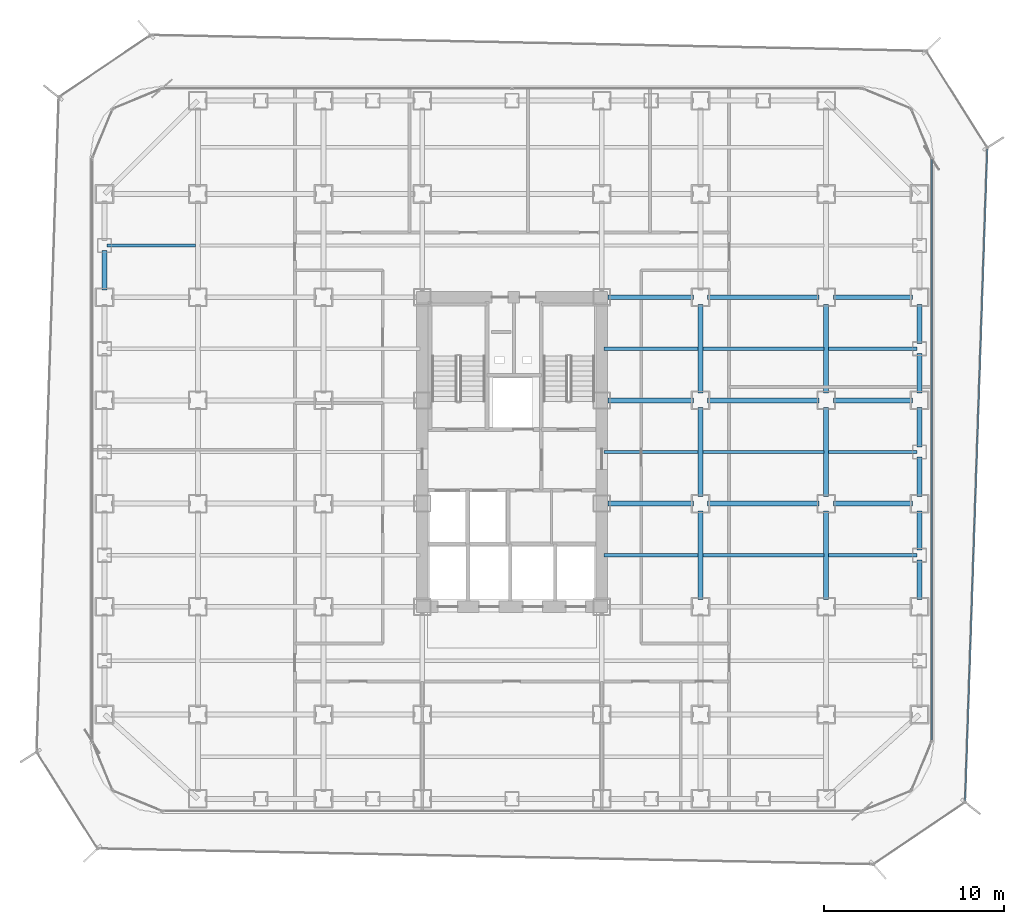
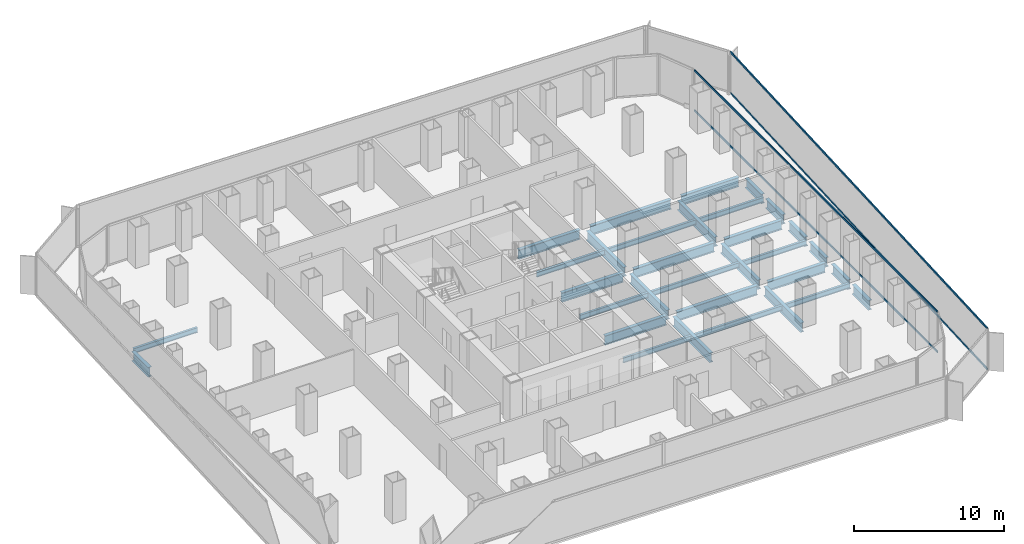
# One storey, part 9 of 21: 32 beams, 4 members, 2 elements without a shape of their own.
"""IFC4 building model written with IfcOpenShell, lengths in metres."""

from ifc_helpers import new_model, si_unit, direction, frame, origin, origin_2d, place, context, subcontext, project, spatial, hollow_rectangle, i_section, extrude, source, transform, mapped, material, layer, layer_set, material_profile, profile_set, type_object, element, aggregate, save


model = new_model("IFC4")

# Units and contexts
model_context = context("Model", 3, precision=1e-05, world=origin(), true_north=direction((0.0, 1.0)))
body_context = subcontext(model_context, "Body", "Model", "MODEL_VIEW")
ifc_project = project(units=[si_unit("LENGTHUNIT", "METRE"), si_unit("AREAUNIT", "SQUARE_METRE"), si_unit("VOLUMEUNIT", "CUBIC_METRE"), si_unit("PLANEANGLEUNIT", "RADIAN"), si_unit("MASSUNIT", "GRAM", prefix="KILO")], contexts=[model_context])

# Site, building, storey
site_placement = place(None, origin())
site = spatial("IfcSite", under=ifc_project, at=site_placement, CompositionType="ELEMENT")
building_placement = place(site_placement, origin())
building = spatial("IfcBuilding", under=site, at=building_placement, Name="Kolveth Station Tower", CompositionType="ELEMENT")
storey_placement = place(building_placement, frame((0.0, 0.0, 29.699951171875)))
storey = spatial("IfcBuildingStorey", under=building, at=storey_placement, Name="L07", CompositionType="ELEMENT", Elevation=29.699951171875)

# Beams
ifc_material_1 = material(Name="Steel S355", Category="steel")
ifc_material_profile_1 = material_profile(ifc_material_1, i_section(OverallWidth=0.26904296875, OverallDepth=0.77490234375, WebThickness=0.01708984375, FlangeThickness=0.0283203125, at=origin_2d()), Name="W760x220")
ifc_profile_set_1 = profile_set([ifc_material_profile_1], Name="Steel S355")
beam_type_1 = type_object("IfcBeamType", Name="Beam_SP1", PredefinedType="SPANDREL", material=ifc_profile_set_1)
shared_shape_1 = source(origin(), body_context, "Body", "SweptSolid", [
    extrude(i_section(OverallWidth=0.26904296875, OverallDepth=0.77490234375, WebThickness=0.01708984375, FlangeThickness=0.0283203125, at=origin_2d()), origin(), (0.0, 0.0, 1.0), 2.2001953125),
])
for number, where, z_axis, x_axis, name in (
    (1, (46.199951171875, 11.89990234375, -0.66748046875), (0.0, 1.0, 0.0), (-1.0, 0.0, 0.0), "L07 Perimeter Spandrel BM-L07-PE-3"),
    (2, (46.199951171875, 20.39990234375, -0.66748046875), (0.0, 1.0, 0.0), (-1.0, 0.0, 0.0), "L07 Perimeter Spandrel BM-L07-PE-6"),
    (3, (46.199951171875, 23.39990234375, -0.66748046875), (0.0, 1.0, 0.0), (-1.0, 0.0, 0.0), "L07 Perimeter Spandrel BM-L07-PE-7"),
):
    element("IfcBeam", number, at=place(storey_placement, frame(where, z_axis=z_axis, x_axis=x_axis)), inside=storey, type_object=beam_type_1, Name=name, PredefinedType="SPANDREL", context=body_context, shape_type="MappedRepresentation", body=[
        mapped(shared_shape_1, transform((0.0, 0.0, 0.0), x_axis=(1.0, 0.0, 0.0), y_axis=(0.0, 1.0, 0.0), z_axis=(0.0, 0.0, 1.0), scale=1.0)),
    ])
shared_shape_2 = source(origin(), body_context, "Body", "SweptSolid", [
    extrude(i_section(OverallWidth=0.26904296875, OverallDepth=0.77490234375, WebThickness=0.01708984375, FlangeThickness=0.0283203125, at=origin_2d()), origin(), (0.0, 0.0, 1.0), 2.190185546875),
])
for number, where, z_axis, x_axis, name in (
    (4, (0.800048828125, 29.14990234375, -0.66748046875), (0.0, 1.0, 0.0), (-1.0, 0.0, 0.0), "L07 Perimeter Spandrel BM-L07-PW-9"),
    (5, (46.199951171875, 14.659912109375, -0.66748046875), (0.0, 1.0, 0.0), (-1.0, 0.0, 0.0), "L07 Perimeter Spandrel BM-L07-PE-4"),
    (6, (46.199951171875, 17.64990234375, -0.66748046875), (0.0, 1.0, 0.0), (-1.0, 0.0, 0.0), "L07 Perimeter Spandrel BM-L07-PE-5"),
    (7, (46.199951171875, 26.159912109375, -0.66748046875), (0.0, 1.0, 0.0), (-1.0, 0.0, 0.0), "L07 Perimeter Spandrel BM-L07-PE-8"),
):
    element("IfcBeam", number, at=place(storey_placement, frame(where, z_axis=z_axis, x_axis=x_axis)), inside=storey, type_object=beam_type_1, Name=name, PredefinedType="SPANDREL", context=body_context, shape_type="MappedRepresentation", body=[
        mapped(shared_shape_2, transform((0.0, 0.0, 0.0), x_axis=(1.0, 0.0, 0.0), y_axis=(0.0, 1.0, 0.0), z_axis=(0.0, 0.0, 1.0), scale=1.0)),
    ])
ifc_material_profile_2 = material_profile(ifc_material_1, i_section(OverallWidth=0.26708984375, OverallDepth=0.76611328125, WebThickness=0.014892578125, FlangeThickness=0.023681640625, at=origin_2d()), Name="W760x185")
ifc_profile_set_2 = profile_set([ifc_material_profile_2], Name="Steel S355")
beam_type_2 = type_object("IfcBeamType", Name="Beam_B3", PredefinedType="BEAM", material=ifc_profile_set_2)
shared_shape_3 = source(origin(), body_context, "Body", "SweptSolid", [
    extrude(i_section(OverallWidth=0.26708984375, OverallDepth=0.76611328125, WebThickness=0.014892578125, FlangeThickness=0.023681640625, at=origin_2d()), origin(), (0.0, 0.0, 1.0), 4.400146484375),
])
for number, where, z_axis, x_axis, name in (
    (8, (41.39990234375, 17.25, -0.662841796875), (1.0, 0.0, 0.0), (0.0, 1.0, 0.0), "L07 Primary Girder BM-L07-GY172-7"),
    (9, (41.39990234375, 23.0, -0.662841796875), (1.0, 0.0, 0.0), (0.0, 1.0, 0.0), "L07 Primary Girder BM-L07-GY230-7"),
    (10, (41.39990234375, 28.75, -0.662841796875), (1.0, 0.0, 0.0), (0.0, 1.0, 0.0), "L07 Primary Girder BM-L07-GY287-7"),
):
    element("IfcBeam", number, at=place(storey_placement, frame(where, z_axis=z_axis, x_axis=x_axis)), inside=storey, type_object=beam_type_2, Name=name, PredefinedType="BEAM", context=body_context, shape_type="MappedRepresentation", body=[
        mapped(shared_shape_3, transform((0.0, 0.0, 0.0), x_axis=(1.0, 0.0, 0.0), y_axis=(0.0, 1.0, 0.0), z_axis=(0.0, 0.0, 1.0), scale=1.0)),
    ])
shared_shape_4 = source(origin(), body_context, "Body", "SweptSolid", [
    extrude(i_section(OverallWidth=0.26708984375, OverallDepth=0.76611328125, WebThickness=0.014892578125, FlangeThickness=0.023681640625, at=origin_2d()), origin(), (0.0, 0.0, 1.0), 6.2001953125),
])
for number, where, z_axis, x_axis, name in (
    (11, (34.39990234375, 17.25, -0.662841796875), (1.0, 0.0, 0.0), (0.0, 1.0, 0.0), "L07 Primary Girder BM-L07-GY172-6"),
    (12, (34.39990234375, 23.0, -0.662841796875), (1.0, 0.0, 0.0), (0.0, 1.0, 0.0), "L07 Primary Girder BM-L07-GY230-6"),
    (13, (34.39990234375, 28.75, -0.662841796875), (1.0, 0.0, 0.0), (0.0, 1.0, 0.0), "L07 Primary Girder BM-L07-GY287-6"),
):
    element("IfcBeam", number, at=place(storey_placement, frame(where, z_axis=z_axis, x_axis=x_axis)), inside=storey, type_object=beam_type_2, Name=name, PredefinedType="BEAM", context=body_context, shape_type="MappedRepresentation", body=[
        mapped(shared_shape_4, transform((0.0, 0.0, 0.0), x_axis=(1.0, 0.0, 0.0), y_axis=(0.0, 1.0, 0.0), z_axis=(0.0, 0.0, 1.0), scale=1.0)),
    ])
shared_shape_5 = source(origin(), body_context, "Body", "SweptSolid", [
    extrude(i_section(OverallWidth=0.26708984375, OverallDepth=0.76611328125, WebThickness=0.014892578125, FlangeThickness=0.023681640625, at=origin_2d()), origin(), (0.0, 0.0, 1.0), 4.739990234375),
])
for number, where, z_axis, x_axis, name in (
    (14, (28.860107421875, 17.25, -0.662841796875), (1.0, 0.0, 0.0), (0.0, 1.0, 0.0), "L07 Primary Girder BM-L07-GY172-5"),
    (15, (28.860107421875, 23.0, -0.662841796875), (1.0, 0.0, 0.0), (0.0, 1.0, 0.0), "L07 Primary Girder BM-L07-GY230-5"),
    (16, (28.860107421875, 28.75, -0.662841796875), (1.0, 0.0, 0.0), (0.0, 1.0, 0.0), "L07 Primary Girder BM-L07-GY287-5"),
):
    element("IfcBeam", number, at=place(storey_placement, frame(where, z_axis=z_axis, x_axis=x_axis)), inside=storey, type_object=beam_type_2, Name=name, PredefinedType="BEAM", context=body_context, shape_type="MappedRepresentation", body=[
        mapped(shared_shape_5, transform((0.0, 0.0, 0.0), x_axis=(1.0, 0.0, 0.0), y_axis=(0.0, 1.0, 0.0), z_axis=(0.0, 0.0, 1.0), scale=1.0)),
    ])
shared_shape_6 = source(origin(), body_context, "Body", "SweptSolid", [
    extrude(i_section(OverallWidth=0.26708984375, OverallDepth=0.76611328125, WebThickness=0.014892578125, FlangeThickness=0.023681640625, at=origin_2d()), origin(), (0.0, 0.0, 1.0), 4.9501953125),
])
for number, where, z_axis, x_axis, name in (
    (17, (34.0, 11.89990234375, -0.662841796875), (0.0, 1.0, 0.0), (-1.0, 0.0, 0.0), "L07 Primary Girder BM-L07-GX340-3"),
    (18, (34.0, 17.64990234375, -0.662841796875), (0.0, 1.0, 0.0), (-1.0, 0.0, 0.0), "L07 Primary Girder BM-L07-GX340-4"),
    (19, (34.0, 23.39990234375, -0.662841796875), (0.0, 1.0, 0.0), (-1.0, 0.0, 0.0), "L07 Primary Girder BM-L07-GX340-5"),
    (20, (41.0, 11.89990234375, -0.662841796875), (0.0, 1.0, 0.0), (-1.0, 0.0, 0.0), "L07 Primary Girder BM-L07-GX410-3"),
    (21, (41.0, 17.64990234375, -0.662841796875), (0.0, 1.0, 0.0), (-1.0, 0.0, 0.0), "L07 Primary Girder BM-L07-GX410-4"),
    (22, (41.0, 23.39990234375, -0.662841796875), (0.0, 1.0, 0.0), (-1.0, 0.0, 0.0), "L07 Primary Girder BM-L07-GX410-5"),
):
    element("IfcBeam", number, at=place(storey_placement, frame(where, z_axis=z_axis, x_axis=x_axis)), inside=storey, type_object=beam_type_2, Name=name, PredefinedType="BEAM", context=body_context, shape_type="MappedRepresentation", body=[
        mapped(shared_shape_6, transform((0.0, 0.0, 0.0), x_axis=(1.0, 0.0, 0.0), y_axis=(0.0, 1.0, 0.0), z_axis=(0.0, 0.0, 1.0), scale=1.0)),
    ])
ifc_material_profile_3 = material_profile(ifc_material_1, i_section(OverallWidth=0.177978515625, OverallDepth=0.406982421875, WebThickness=0.0078125, FlangeThickness=0.0126953125, at=origin_2d()), Name="W410x60")
ifc_profile_set_3 = profile_set([ifc_material_profile_3], Name="Steel S355")
beam_type_3 = type_object("IfcBeamType", Name="Beam_J1", PredefinedType="JOIST", material=ifc_profile_set_3)
shared_shape_7 = source(origin(), body_context, "Body", "SweptSolid", [
    extrude(i_section(OverallWidth=0.177978515625, OverallDepth=0.406982421875, WebThickness=0.0078125, FlangeThickness=0.0126953125, at=origin_2d()), origin(), (0.0, 0.0, 1.0), 4.935791015625),
])
for number, where, z_axis, x_axis, name in (
    (23, (0.9326171875, 31.625, -0.4833984375), (1.0, 0.0, 0.0), (0.0, 1.0, 0.0), "L07 Secondary Joist JST-L07-1-6"),
    (24, (41.131591796875, 14.375, -0.4833984375), (1.0, 0.0, 0.0), (0.0, 1.0, 0.0), "L07 Secondary Joist JST-L07-7-3"),
    (25, (41.131591796875, 20.125, -0.4833984375), (1.0, 0.0, 0.0), (0.0, 1.0, 0.0), "L07 Secondary Joist JST-L07-7-4"),
    (26, (41.131591796875, 25.875, -0.4833984375), (1.0, 0.0, 0.0), (0.0, 1.0, 0.0), "L07 Secondary Joist JST-L07-7-5"),
):
    element("IfcBeam", number, at=place(storey_placement, frame(where, z_axis=z_axis, x_axis=x_axis)), inside=storey, type_object=beam_type_3, Name=name, PredefinedType="JOIST", context=body_context, shape_type="MappedRepresentation", body=[
        mapped(shared_shape_7, transform((0.0, 0.0, 0.0), x_axis=(1.0, 0.0, 0.0), y_axis=(0.0, 1.0, 0.0), z_axis=(0.0, 0.0, 1.0), scale=1.0)),
    ])
shared_shape_8 = source(origin(), body_context, "Body", "SweptSolid", [
    extrude(i_section(OverallWidth=0.177978515625, OverallDepth=0.406982421875, WebThickness=0.0078125, FlangeThickness=0.0126953125, at=origin_2d()), origin(), (0.0, 0.0, 1.0), 6.73681640625),
])
for number, where, z_axis, x_axis, name in (
    (27, (34.131591796875, 14.375, -0.4833984375), (1.0, 0.0, 0.0), (0.0, 1.0, 0.0), "L07 Secondary Joist JST-L07-6-3"),
    (28, (34.131591796875, 20.125, -0.4833984375), (1.0, 0.0, 0.0), (0.0, 1.0, 0.0), "L07 Secondary Joist JST-L07-6-4"),
    (29, (34.131591796875, 25.875, -0.4833984375), (1.0, 0.0, 0.0), (0.0, 1.0, 0.0), "L07 Secondary Joist JST-L07-6-5"),
):
    element("IfcBeam", number, at=place(storey_placement, frame(where, z_axis=z_axis, x_axis=x_axis)), inside=storey, type_object=beam_type_3, Name=name, PredefinedType="JOIST", context=body_context, shape_type="MappedRepresentation", body=[
        mapped(shared_shape_8, transform((0.0, 0.0, 0.0), x_axis=(1.0, 0.0, 0.0), y_axis=(0.0, 1.0, 0.0), z_axis=(0.0, 0.0, 1.0), scale=1.0)),
    ])
shared_shape_9 = source(origin(), body_context, "Body", "SweptSolid", [
    extrude(i_section(OverallWidth=0.177978515625, OverallDepth=0.406982421875, WebThickness=0.0078125, FlangeThickness=0.0126953125, at=origin_2d()), origin(), (0.0, 0.0, 1.0), 5.23681640625),
])
for number, where, z_axis, x_axis, name in (
    (30, (28.631591796875, 14.375, -0.4833984375), (1.0, 0.0, 0.0), (0.0, 1.0, 0.0), "L07 Secondary Joist JST-L07-5-3"),
    (31, (28.631591796875, 20.125, -0.4833984375), (1.0, 0.0, 0.0), (0.0, 1.0, 0.0), "L07 Secondary Joist JST-L07-5-4"),
    (32, (28.631591796875, 25.875, -0.4833984375), (1.0, 0.0, 0.0), (0.0, 1.0, 0.0), "L07 Secondary Joist JST-L07-5-5"),
):
    element("IfcBeam", number, at=place(storey_placement, frame(where, z_axis=z_axis, x_axis=x_axis)), inside=storey, type_object=beam_type_3, Name=name, PredefinedType="JOIST", context=body_context, shape_type="MappedRepresentation", body=[
        mapped(shared_shape_9, transform((0.0, 0.0, 0.0), x_axis=(1.0, 0.0, 0.0), y_axis=(0.0, 1.0, 0.0), z_axis=(0.0, 0.0, 1.0), scale=1.0)),
    ])

# Curtain wall, members
ifc_material_2 = material(Name="Aluminium 6063-T6 and low-E dark glass", Category="aluminium")
ifc_layer_1 = layer(ifc_material_2, 0.179931640625)
ifc_layer_set_1 = layer_set([ifc_layer_1], Name="Aluminium 6063-T6 and low-E dark glass")
curtain_wall_type_1 = type_object("IfcCurtainWallType", Name="CurtainWall_CW-Z1", PredefinedType="NOTDEFINED", material=ifc_layer_set_1)
curtain_wall_1_placement = place(storey_placement, origin())
curtain_wall_1 = element("IfcCurtainWall", 33, at=curtain_wall_1_placement, inside=storey, type_object=curtain_wall_type_1, Name="L07 Inner Thermal Curtain Wall 3", PredefinedType="NOTDEFINED")
ifc_material_3 = material(Name="Black anodized aluminium 6063-T6", Category="aluminium")
ifc_material_profile_4 = material_profile(ifc_material_3, hollow_rectangle(XDim=0.074951171875, YDim=0.159912109375, WallThickness=0.0048828125, at=origin_2d()), Name="ALU-75x160x5")
ifc_profile_set_4 = profile_set([ifc_material_profile_4], Name="Black anodized aluminium 6063-T6")
member_type_1 = type_object("IfcMemberType", Name="Transom_TR1", PredefinedType="USERDEFINED", material=ifc_profile_set_4)
shared_shape_10 = source(origin(), body_context, "Body", "SweptSolid", [
    extrude(hollow_rectangle(XDim=0.074951171875, YDim=0.159912109375, WallThickness=0.0048828125, at=origin_2d()), origin(), (0.0, 0.0, 1.0), 32.35009765625),
])
member_1_placement = place(storey_placement, frame((46.8798828125, 4.074951171875, 0.03759765625), z_axis=(0.0, 1.0, 0.0), x_axis=(-1.0, 0.0, 0.0)))
member_1 = element("IfcMember", 34, at=member_1_placement, type_object=member_type_1, Name="CW-Z1 transom 1.1", ObjectType="TRANSOM", PredefinedType="USERDEFINED", context=body_context, shape_type="MappedRepresentation", body=[
    mapped(shared_shape_10, transform((0.0, 0.0, 0.0), x_axis=(1.0, 0.0, 0.0), y_axis=(0.0, 1.0, 0.0), z_axis=(0.0, 0.0, 1.0), scale=1.0)),
])
member_2_placement = place(storey_placement, frame((46.8798828125, 4.074951171875, 3.282470703125), z_axis=(0.0, 1.0, 0.0), x_axis=(-1.0, 0.0, 0.0)))
member_2 = element("IfcMember", 35, at=member_2_placement, type_object=member_type_1, Name="CW-Z1 transom 1.2", ObjectType="TRANSOM", PredefinedType="USERDEFINED", context=body_context, shape_type="MappedRepresentation", body=[
    mapped(shared_shape_10, transform((0.0, 0.0, 0.0), x_axis=(1.0, 0.0, 0.0), y_axis=(0.0, 1.0, 0.0), z_axis=(0.0, 0.0, 1.0), scale=1.0)),
])
aggregate(curtain_wall_1, [member_1, member_2])

ifc_material_4 = material(Name="Black anodized aluminium 6063-T6 and dark solar glass", Category="aluminium")
ifc_layer_2 = layer(ifc_material_4, 0.159912109375)
ifc_layer_set_2 = layer_set([ifc_layer_2], Name="Black anodized aluminium 6063-T6 and dark solar glass")
curtain_wall_type_2 = type_object("IfcCurtainWallType", Name="OUTER SKIN CW-OS", PredefinedType="NOTDEFINED", material=ifc_layer_set_2)
curtain_wall_2_placement = place(storey_placement, origin())
curtain_wall_2 = element("IfcCurtainWall", 36, at=curtain_wall_2_placement, inside=storey, type_object=curtain_wall_type_2, Name="L07 Outer Ventilated Skin Curtain Wall 2", PredefinedType="NOTDEFINED")
ifc_material_profile_5 = material_profile(ifc_material_3, hollow_rectangle(XDim=0.080078125, YDim=0.14990234375, WallThickness=0.0048828125, at=origin_2d()), Name="ALU-80x150x5")
ifc_profile_set_5 = profile_set([ifc_material_profile_5], Name="Black anodized aluminium 6063-T6")
member_type_2 = type_object("IfcMemberType", Name="Transom_TR-OS", PredefinedType="USERDEFINED", material=ifc_profile_set_5)
shared_shape_11 = source(origin(), body_context, "Body", "SweptSolid", [
    extrude(hollow_rectangle(XDim=0.080078125, YDim=0.14990234375, WallThickness=0.0048828125, at=origin_2d()), origin(), (0.0, 0.0, 1.0), 36.310302734375),
])
member_3_placement = place(storey_placement, frame((48.744384765625, 0.703857421875, 0.0400390625), z_axis=(0.033874064787, 0.999426109192, 0.0), x_axis=(-0.999426109192, 0.033874064787, 0.0)))
member_3 = element("IfcMember", 37, at=member_3_placement, type_object=member_type_2, Name="CW-OS transom 1.1", ObjectType="TRANSOM", PredefinedType="USERDEFINED", context=body_context, shape_type="MappedRepresentation", body=[
    mapped(shared_shape_11, transform((0.0, 0.0, 0.0), x_axis=(1.0, 0.0, 0.0), y_axis=(0.0, 1.0, 0.0), z_axis=(0.0, 0.0, 1.0), scale=1.0)),
])
member_4_placement = place(storey_placement, frame((48.744384765625, 0.703857421875, 3.35009765625), z_axis=(0.033874064787, 0.999426109192, 0.0), x_axis=(-0.999426109192, 0.033874064787, 0.0)))
member_4 = element("IfcMember", 38, at=member_4_placement, type_object=member_type_2, Name="CW-OS transom 1.2", ObjectType="TRANSOM", PredefinedType="USERDEFINED", context=body_context, shape_type="MappedRepresentation", body=[
    mapped(shared_shape_11, transform((0.0, 0.0, 0.0), x_axis=(1.0, 0.0, 0.0), y_axis=(0.0, 1.0, 0.0), z_axis=(0.0, 0.0, 1.0), scale=1.0)),
])
aggregate(curtain_wall_2, [member_3, member_4])

save(model, "model.ifc")
